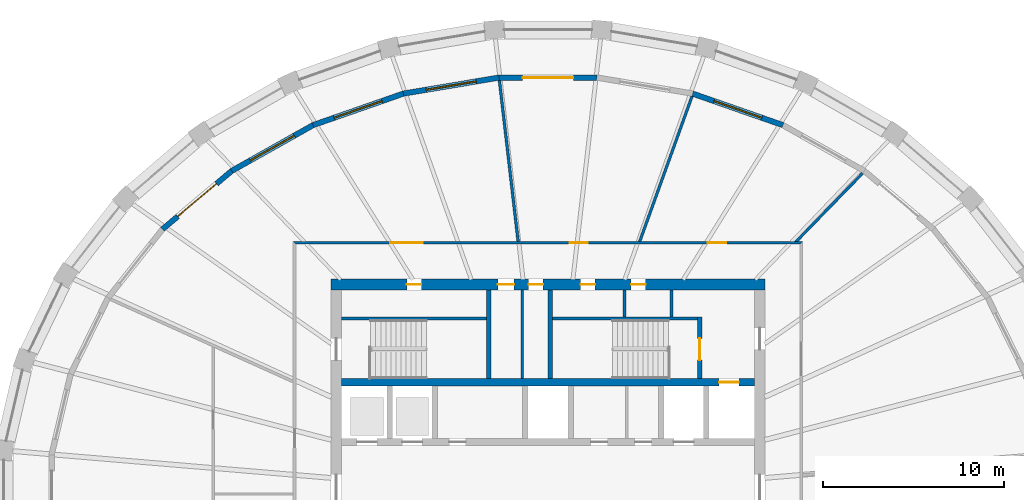
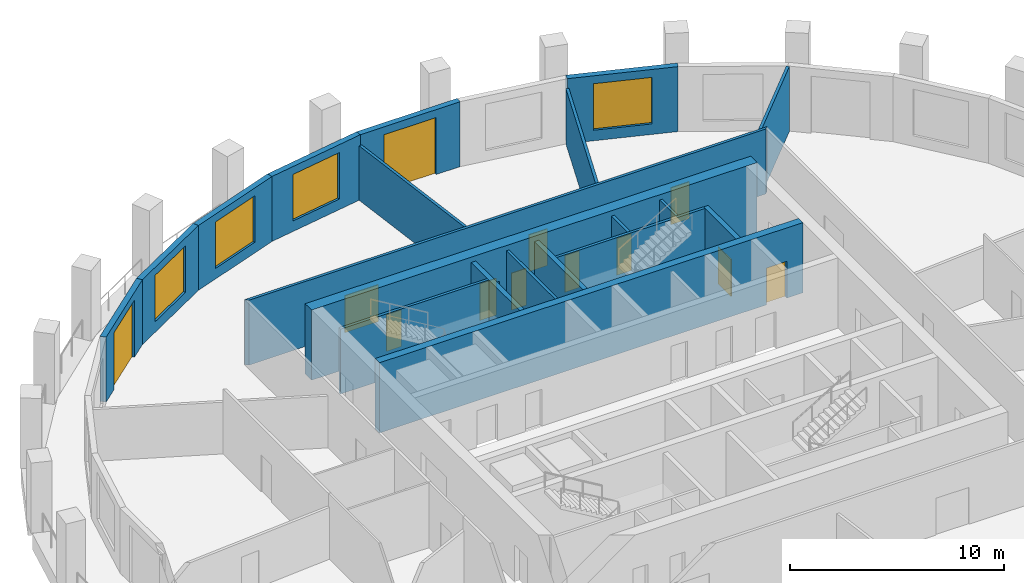
# One storey, part 6 of 10: 20 walls, 12 doors, 4 windows, 16 openings.
"""IFC4 building model written with IfcOpenShell, lengths in metres."""

from ifc_helpers import new_model, si_unit, direction, frame, frame_2d, origin, place, context, subcontext, project, spatial, polyline, rectangle, outline, extrude, material, layer, layer_set, type_object, element, fill, save


model = new_model("IFC4")

# Units and contexts
model_context = context("Model", 3, precision=1e-05, world=origin(), true_north=direction((0.0, 1.0)))
body_context = subcontext(model_context, "Body", "Model", "MODEL_VIEW")
ifc_project = project(units=[si_unit("LENGTHUNIT", "METRE"), si_unit("AREAUNIT", "SQUARE_METRE"), si_unit("VOLUMEUNIT", "CUBIC_METRE"), si_unit("PLANEANGLEUNIT", "RADIAN"), si_unit("MASSUNIT", "GRAM", prefix="KILO")], contexts=[model_context])

# Site, building, storey
site_placement = place(None, origin())
site = spatial("IfcSite", under=ifc_project, at=site_placement, CompositionType="ELEMENT")
building_placement = place(site_placement, origin())
building = spatial("IfcBuilding", under=site, at=building_placement, Name="Halqa Exchange Tower", CompositionType="ELEMENT")
storey_placement = place(building_placement, frame((0.0, 0.0, 256.300048828125)))
storey = spatial("IfcBuildingStorey", under=building, at=storey_placement, Name="L59", CompositionType="ELEMENT", Elevation=256.300048828125)

# Wall, openings, doors
ifc_material_1 = material(Name="Fire-rated gypsum board")
ifc_layer_1 = layer(ifc_material_1, 0.14990234375)
ifc_layer_set_1 = layer_set([ifc_layer_1], Name="Fire-rated gypsum board")
wall_type_1 = type_object("IfcWallType", Name="Fire partition EI 60 150", PredefinedType="PARTITIONING", material=ifc_layer_set_1)
wall_1_placement = place(storey_placement, frame((-14.074951171875, 14.0, 0.0), z_axis=(0.0, 0.0, 1.0), x_axis=(1.0, 0.0, 0.0)))
wall_1 = element("IfcWall", 1, at=wall_1_placement, inside=storey, type_object=wall_type_1, Name="L59-PWL-012", PredefinedType="PARTITIONING", context=body_context, shape_type="SweptSolid", body=[
    extrude(outline(polyline([(0.14990234375, -0.074951171875), (2.13916015625, -0.074951171875), (4.12841796875, -0.074951171875), (6.11767578125, -0.074951171875), (8.107177734375, -0.074951171875), (10.096435546875, -0.074951171875), (12.085693359375, -0.074951171875), (14.074951171875, -0.074951171875), (16.064208984375, -0.074951171875), (18.053466796875, -0.074951171875), (20.042724609375, -0.074951171875), (22.0322265625, -0.074951171875), (24.021484375, -0.074951171875), (26.0107421875, -0.074951171875), (28.0, -0.074951171875), (28.14990234375, 0.074951171875), (26.273193359375, 0.074951171875), (24.396484375, 0.074951171875), (22.52001953125, 0.074951171875), (20.643310546875, 0.074951171875), (18.7666015625, 0.074951171875), (16.889892578125, 0.074951171875), (15.01318359375, 0.074951171875), (13.13671875, 0.074951171875), (11.260009765625, 0.074951171875), (9.38330078125, 0.074951171875), (7.506591796875, 0.074951171875), (5.6298828125, 0.074951171875), (3.75341796875, 0.074951171875), (1.876708984375, 0.074951171875), (0.0, 0.074951171875), (0.14990234375, -0.074951171875)])), origin(), (0.0, 0.0, 1.0), 3.699951171875),
])
opening_1_placement = place(wall_1_placement, frame((22.9150390625, 0.0, 0.0)))
opening_1 = element("IfcOpeningElement", 2, at=opening_1_placement, cuts=wall_1, Name="Opening 18-04", PredefinedType="OPENING", context=body_context, shape_type="SweptSolid", body=[
    extrude(rectangle(XDim=1.0, YDim=2.10009765625, at=frame_2d((0.5, 1.050048828125))), frame((0.0, 0.0869140625, 0.0), z_axis=(0.0, -1.0, 0.0), x_axis=(1.0, 0.0, 0.0)), (0.0, 0.0, 1.0), 0.173828125),
])
opening_2_placement = place(wall_1_placement, frame((15.27490234375, 0.0, 0.0)))
opening_2 = element("IfcOpeningElement", 3, at=opening_2_placement, cuts=wall_1, Name="Opening 18-05", PredefinedType="OPENING", context=body_context, shape_type="SweptSolid", body=[
    extrude(rectangle(XDim=1.0, YDim=2.10009765625, at=frame_2d((0.5, 1.050048828125))), frame((0.0, 0.0869140625, 0.0), z_axis=(0.0, -1.0, 0.0), x_axis=(1.0, 0.0, 0.0)), (0.0, 0.0, 1.0), 0.173828125),
])
opening_3_placement = place(wall_1_placement, frame((5.35498046875, 0.0, 0.0)))
opening_3 = element("IfcOpeningElement", 4, at=opening_3_placement, cuts=wall_1, Name="Opening 18-06", PredefinedType="OPENING", context=body_context, shape_type="SweptSolid", body=[
    extrude(rectangle(XDim=1.800048828125, YDim=2.10009765625, at=frame_2d((0.89990234375, 1.050048828125))), frame((0.0, 0.0869140625, 0.0), z_axis=(0.0, -1.0, 0.0), x_axis=(1.0, 0.0, 0.0)), (0.0, 0.0, 1.0), 0.173828125),
])
ifc_material_2 = material(Name="Steel fire door leaf", Category="steel")
door_type_1 = type_object("IfcDoorType", Name="Fire door FD30S 1000 x 2100", OperationType="SINGLE_SWING_LEFT", PredefinedType="DOOR", material=ifc_material_2)
door_1_placement = place(opening_1_placement, origin())
door_1 = element("IfcDoor", 5, at=door_1_placement, inside=storey, type_object=door_type_1, Name="L59-IDR-004", OperationType="SINGLE_SWING_RIGHT", OverallHeight=2.10009765625, OverallWidth=1.0, PredefinedType="DOOR", context=body_context, shape_type="SweptSolid", body=[
    extrude(rectangle(XDim=1.0, YDim=2.10009765625, at=frame_2d((0.5, 1.050048828125))), frame((0.0, 0.02490234375, 0.0), z_axis=(0.0, -1.0, 0.0), x_axis=(1.0, 0.0, 0.0)), (0.0, 0.0, 1.0), 0.050048828125),
])
fill(opening_1, door_1)
door_2_placement = place(opening_2_placement, origin())
door_2 = element("IfcDoor", 6, at=door_2_placement, inside=storey, type_object=door_type_1, Name="L59-IDR-005", OperationType="SINGLE_SWING_RIGHT", OverallHeight=2.10009765625, OverallWidth=1.0, PredefinedType="DOOR", context=body_context, shape_type="SweptSolid", body=[
    extrude(rectangle(XDim=1.0, YDim=2.10009765625, at=frame_2d((0.5, 1.050048828125))), frame((0.0, 0.02490234375, 0.0), z_axis=(0.0, -1.0, 0.0), x_axis=(1.0, 0.0, 0.0)), (0.0, 0.0, 1.0), 0.050048828125),
])
fill(opening_2, door_2)
door_type_2 = type_object("IfcDoorType", Name="Fire door FD30S double 1800 x 2100", OperationType="DOUBLE_DOOR_SINGLE_SWING", PredefinedType="DOOR", material=ifc_material_2)
door_3_placement = place(opening_3_placement, origin())
door_3 = element("IfcDoor", 7, at=door_3_placement, inside=storey, type_object=door_type_2, Name="L59-IDR-006", OperationType="DOUBLE_DOOR_SINGLE_SWING", OverallHeight=2.10009765625, OverallWidth=1.800048828125, PredefinedType="DOOR", context=body_context, shape_type="SweptSolid", body=[
    extrude(rectangle(XDim=1.800048828125, YDim=2.10009765625, at=frame_2d((0.89990234375, 1.050048828125))), frame((0.0, 0.02490234375, 0.0), z_axis=(0.0, -1.0, 0.0), x_axis=(1.0, 0.0, 0.0)), (0.0, 0.0, 1.0), 0.050048828125),
])
fill(opening_3, door_3)

# Walls
wall_2_placement = place(storey_placement, frame((-1.647705078125, 14.066650390625, 0.0), z_axis=(0.0, 0.0, 1.0), x_axis=(-0.115608238976, 0.993294888279, 0.0)))
element("IfcWall", 8, at=wall_2_placement, inside=storey, type_object=wall_type_1, Name="L59-PWL-013", PredefinedType="PARTITIONING", context=body_context, shape_type="SweptSolid", body=[
    extrude(outline(polyline([(0.0, -0.074951171875), (1.793701171875, -0.074951171875), (3.58740234375, -0.074951171875), (5.381103515625, -0.074951171875), (7.174560546875, -0.074951171875), (8.96826171875, -0.074951171875), (8.972900390625, -0.03564453125), (8.972900390625, 0.074951171875), (7.181640625, 0.074951171875), (5.390625, 0.074951171875), (3.599365234375, 0.074951171875), (1.808349609375, 0.074951171875), (0.01708984375, 0.074951171875), (0.0, -0.072265625), (0.0, -0.074951171875)])), origin(), (0.0, 0.0, 1.0), 3.099853515625),
])
wall_3_placement = place(storey_placement, frame((5.05810546875, 14.0498046875, 0.0), z_axis=(0.0, 0.0, 1.0), x_axis=(0.339015479588, 0.940780795191, 0.0)))
element("IfcWall", 9, at=wall_3_placement, inside=storey, type_object=wall_type_1, Name="L59-PWL-015", PredefinedType="PARTITIONING", context=body_context, shape_type="SweptSolid", body=[
    extrude(outline(polyline([(8.556884765625, -0.074951171875), (8.556884765625, -0.049560546875), (8.556396484375, 0.002197265625), (8.543212890625, 0.074951171875), (6.83447265625, 0.074951171875), (5.1259765625, 0.074951171875), (3.417236328125, 0.074951171875), (1.708740234375, 0.074951171875), (0.0, 0.074951171875), (0.0, 0.07421875), (0.0537109375, -0.074951171875), (1.75439453125, -0.074951171875), (3.455078125, -0.074951171875), (5.15576171875, -0.074951171875), (6.856201171875, -0.074951171875), (8.556884765625, -0.074951171875)])), origin(), (0.0, 0.0, 1.0), 3.14990234375),
])
wall_4_placement = place(storey_placement, frame((13.662353515625, 14.02294921875, 0.0), z_axis=(0.0, 0.0, 1.0), x_axis=(0.697340314613, 0.716740179992, 0.0)))
element("IfcWall", 10, at=wall_4_placement, inside=storey, type_object=wall_type_1, Name="L59-PWL-016", PredefinedType="PARTITIONING", context=body_context, shape_type="SweptSolid", body=[
    extrude(outline(polyline([(0.0, 0.074951171875), (0.0, 0.07470703125), (0.1455078125, -0.074951171875), (1.871337890625, -0.074951171875), (3.597412109375, -0.074951171875), (5.3232421875, -0.074951171875), (5.3232421875, 0.074951171875), (3.548828125, 0.074951171875), (1.7744140625, 0.074951171875), (0.0, 0.074951171875)])), origin(), (0.0, 0.0, 1.0), 3.699951171875),
])
ifc_material_3 = material(Name="Gypsum board")
ifc_layer_2 = layer(ifc_material_3, 0.14990234375)
ifc_layer_set_2 = layer_set([ifc_layer_2], Name="Gypsum board")
wall_type_2 = type_object("IfcWallType", Name="Penthouse riser wall 150 gypsum", PredefinedType="PARTITIONING", material=ifc_layer_set_2)
wall_5_placement = place(storey_placement, frame((-1.425048828125, 6.5, 0.0), z_axis=(0.0, 0.0, 1.0), x_axis=(0.0, 1.0, 0.0)))
element("IfcWall", 11, at=wall_5_placement, inside=storey, type_object=wall_type_2, Name="Partition W1.425 N", PredefinedType="PARTITIONING", context=body_context, shape_type="SweptSolid", body=[
    extrude(rectangle(XDim=4.89990234375, YDim=0.14990234375, at=frame_2d((2.449951171875, 0.0))), origin(), (0.0, 0.0, 1.0), 3.699951171875),
])
for number, where, z_axis, x_axis, name in (
    (12, (4.22509765625, 9.89990234375, 0.0), (0.0, 0.0, 1.0), (0.0, 1.0, 0.0), "Partition E4.225 N"),
    (13, (6.824951171875, 9.89990234375, 0.0), (0.0, 0.0, 1.0), (0.0, 1.0, 0.0), "Firefighting lobby west wall N"),
):
    element("IfcWall", number, at=place(storey_placement, frame(where, z_axis=z_axis, x_axis=x_axis)), inside=storey, type_object=wall_type_2, Name=name, PredefinedType="PARTITIONING", context=body_context, shape_type="SweptSolid", body=[
        extrude(rectangle(XDim=1.5, YDim=0.14990234375, at=frame_2d((0.75, 0.0))), origin(), (0.0, 0.0, 1.0), 3.699951171875),
    ])

# Wall, opening, door
ifc_material_4 = material(Name="Concrete C60/75", Category="concrete")
ifc_layer_3 = layer(ifc_material_4, 0.39990234375)
ifc_layer_set_3 = layer_set([ifc_layer_3], Name="Concrete C60/75")
wall_type_3 = type_object("IfcWallType", Name="RC core wall 400 C60/75", PredefinedType="SHEAR", material=ifc_layer_set_3)
wall_6_placement = place(storey_placement, frame((-11.39990234375, 6.300048828125, 0.0), z_axis=(0.0, 0.0, 1.0), x_axis=(1.0, 0.0, 0.0)))
wall_6 = element("IfcWall", 14, at=wall_6_placement, inside=storey, type_object=wall_type_3, Name="Lift row back wall N", PredefinedType="SHEAR", context=body_context, shape_type="SweptSolid", body=[
    extrude(rectangle(XDim=22.7998046875, YDim=0.39990234375, at=frame_2d((11.39990234375, 0.0))), origin(), (0.0, 0.0, 1.0), 4.0),
])
opening_4_placement = place(wall_6_placement, frame((20.85009765625, 0.0, 0.0)))
opening_4 = element("IfcOpeningElement", 15, at=opening_4_placement, cuts=wall_6, Name="Opening LD-FF1-T18", PredefinedType="OPENING", context=body_context, shape_type="SweptSolid", body=[
    extrude(rectangle(XDim=1.10009765625, YDim=2.10009765625, at=frame_2d((0.550048828125, 1.050048828125))), frame((0.0, 0.2119140625, 0.0), z_axis=(0.0, -1.0, 0.0), x_axis=(1.0, 0.0, 0.0)), (0.0, 0.0, 1.0), 0.423828125),
])
ifc_material_5 = material(Name="Stainless steel", Category="steel")
door_type_3 = type_object("IfcDoorType", Name="Lift landing door 1100 x 2100", OperationType="SLIDING_TO_LEFT", PredefinedType="DOOR", material=ifc_material_5)
door_4_placement = place(opening_4_placement, origin())
door_4 = element("IfcDoor", 16, at=door_4_placement, inside=storey, type_object=door_type_3, Name="Lift landing door FF1", OperationType="SLIDING_TO_LEFT", OverallHeight=2.10009765625, OverallWidth=1.10009765625, PredefinedType="DOOR", context=body_context, shape_type="SweptSolid", body=[
    extrude(rectangle(XDim=1.10009765625, YDim=2.10009765625, at=frame_2d((0.550048828125, 1.050048828125))), frame((0.0, 0.02490234375, 0.0), z_axis=(0.0, -1.0, 0.0), x_axis=(1.0, 0.0, 0.0)), (0.0, 0.0, 1.0), 0.050048828125),
])
fill(opening_4, door_4)

# Wall, openings, doors
ifc_layer_4 = layer(ifc_material_4, 0.60009765625)
ifc_layer_set_4 = layer_set([ifc_layer_4], Name="Concrete C60/75")
wall_type_4 = type_object("IfcWallType", Name="RC core wall 600 C60/75", PredefinedType="SHEAR", material=ifc_layer_set_4)
wall_7_placement = place(storey_placement, frame((-12.0, 11.699951171875, 0.0), z_axis=(0.0, 0.0, 1.0), x_axis=(1.0, 0.0, 0.0)))
wall_7 = element("IfcWall", 17, at=wall_7_placement, inside=storey, type_object=wall_type_4, Name="Core wall north", PredefinedType="SHEAR", context=body_context, shape_type="SweptSolid", body=[
    extrude(rectangle(XDim=24.0, YDim=0.60009765625, at=frame_2d((12.0, 0.0))), origin(), (0.0, 0.0, 1.0), 4.0),
])
opening_5_placement = place(wall_7_placement, frame((9.22509765625, 0.0, 0.0)))
opening_5 = element("IfcOpeningElement", 18, at=opening_5_placement, cuts=wall_7, Name="Opening T18-C17", PredefinedType="OPENING", context=body_context, shape_type="SweptSolid", body=[
    extrude(rectangle(XDim=0.89990234375, YDim=2.10009765625, at=frame_2d((0.449951171875, 1.050048828125))), frame((0.0, 0.31201171875, 0.0), z_axis=(0.0, -1.0, 0.0), x_axis=(1.0, 0.0, 0.0)), (0.0, 0.0, 1.0), 0.6240234375),
])
opening_6_placement = place(wall_7_placement, frame((10.925048828125, 0.0, 0.0)))
opening_6 = element("IfcOpeningElement", 19, at=opening_6_placement, cuts=wall_7, Name="Opening T18-C18", PredefinedType="OPENING", context=body_context, shape_type="SweptSolid", body=[
    extrude(rectangle(XDim=0.800048828125, YDim=2.10009765625, at=frame_2d((0.39990234375, 1.050048828125))), frame((0.0, 0.31201171875, 0.0), z_axis=(0.0, -1.0, 0.0), x_axis=(1.0, 0.0, 0.0)), (0.0, 0.0, 1.0), 0.6240234375),
])
opening_7_placement = place(wall_7_placement, frame((4.199951171875, 0.0, 0.0)))
opening_7 = element("IfcOpeningElement", 20, at=opening_7_placement, cuts=wall_7, Name="Opening T18-C19", PredefinedType="OPENING", context=body_context, shape_type="SweptSolid", body=[
    extrude(rectangle(XDim=0.800048828125, YDim=2.10009765625, at=frame_2d((0.39990234375, 1.050048828125))), frame((0.0, 0.31201171875, 0.0), z_axis=(0.0, -1.0, 0.0), x_axis=(1.0, 0.0, 0.0)), (0.0, 0.0, 1.0), 0.6240234375),
])
opening_8_placement = place(wall_7_placement, frame((13.800048828125, 0.0, 0.0)))
opening_8 = element("IfcOpeningElement", 21, at=opening_8_placement, cuts=wall_7, Name="Opening T18-C20", PredefinedType="OPENING", context=body_context, shape_type="SweptSolid", body=[
    extrude(rectangle(XDim=0.800048828125, YDim=2.10009765625, at=frame_2d((0.39990234375, 1.050048828125))), frame((0.0, 0.31201171875, 0.0), z_axis=(0.0, -1.0, 0.0), x_axis=(1.0, 0.0, 0.0)), (0.0, 0.0, 1.0), 0.6240234375),
])
opening_9_placement = place(wall_7_placement, frame((16.60009765625, 0.0, 0.0)))
opening_9 = element("IfcOpeningElement", 22, at=opening_9_placement, cuts=wall_7, Name="Opening T18-C21", PredefinedType="OPENING", context=body_context, shape_type="SweptSolid", body=[
    extrude(rectangle(XDim=0.800048828125, YDim=2.10009765625, at=frame_2d((0.39990234375, 1.050048828125))), frame((0.0, 0.31201171875, 0.0), z_axis=(0.0, -1.0, 0.0), x_axis=(1.0, 0.0, 0.0)), (0.0, 0.0, 1.0), 0.6240234375),
])
ifc_material_6 = material(Name="Timber fire door leaf", Category="wood")
door_type_4 = type_object("IfcDoorType", Name="Core room door FD30 900 x 2100", OperationType="SINGLE_SWING_LEFT", PredefinedType="DOOR", material=ifc_material_6)
door_5_placement = place(opening_5_placement, frame((0.89990234375, 0.0, 0.0), z_axis=(0.0, 0.0, 1.0), x_axis=(-1.0, 0.0, 0.0)))
door_5 = element("IfcDoor", 23, at=door_5_placement, inside=storey, type_object=door_type_4, Name="Core room door", OperationType="SINGLE_SWING_LEFT", OverallHeight=2.10009765625, OverallWidth=0.89990234375, PredefinedType="DOOR", context=body_context, shape_type="SweptSolid", body=[
    extrude(rectangle(XDim=0.89990234375, YDim=2.10009765625, at=frame_2d((0.449951171875, 1.050048828125))), frame((0.0, 0.02490234375, 0.0), z_axis=(0.0, -1.0, 0.0), x_axis=(1.0, 0.0, 0.0)), (0.0, 0.0, 1.0), 0.050048828125),
])
fill(opening_5, door_5)
door_type_5 = type_object("IfcDoorType", Name="Riser door FD60 800 x 2100", OperationType="SINGLE_SWING_LEFT", PredefinedType="DOOR", material=ifc_material_2)
door_6_placement = place(opening_6_placement, frame((0.800048828125, 0.0, 0.0), z_axis=(0.0, 0.0, 1.0), x_axis=(-1.0, 0.0, 0.0)))
door_6 = element("IfcDoor", 24, at=door_6_placement, inside=storey, type_object=door_type_5, Name="Core room door", OperationType="SINGLE_SWING_RIGHT", OverallHeight=2.10009765625, OverallWidth=0.800048828125, PredefinedType="DOOR", context=body_context, shape_type="SweptSolid", body=[
    extrude(rectangle(XDim=0.800048828125, YDim=2.10009765625, at=frame_2d((0.39990234375, 1.050048828125))), frame((0.0, 0.02490234375, 0.0), z_axis=(0.0, -1.0, 0.0), x_axis=(1.0, 0.0, 0.0)), (0.0, 0.0, 1.0), 0.050048828125),
])
fill(opening_6, door_6)
door_7_placement = place(opening_7_placement, frame((0.800048828125, 0.0, 0.0), z_axis=(0.0, 0.0, 1.0), x_axis=(-1.0, 0.0, 0.0)))
door_7 = element("IfcDoor", 25, at=door_7_placement, inside=storey, type_object=door_type_5, Name="Core room door", OperationType="SINGLE_SWING_RIGHT", OverallHeight=2.10009765625, OverallWidth=0.800048828125, PredefinedType="DOOR", context=body_context, shape_type="SweptSolid", body=[
    extrude(rectangle(XDim=0.800048828125, YDim=2.10009765625, at=frame_2d((0.39990234375, 1.050048828125))), frame((0.0, 0.02490234375, 0.0), z_axis=(0.0, -1.0, 0.0), x_axis=(1.0, 0.0, 0.0)), (0.0, 0.0, 1.0), 0.050048828125),
])
fill(opening_7, door_7)
door_8_placement = place(opening_8_placement, frame((0.800048828125, 0.0, 0.0), z_axis=(0.0, 0.0, 1.0), x_axis=(-1.0, 0.0, 0.0)))
door_8 = element("IfcDoor", 26, at=door_8_placement, inside=storey, type_object=door_type_5, Name="Core room door", OperationType="SINGLE_SWING_LEFT", OverallHeight=2.10009765625, OverallWidth=0.800048828125, PredefinedType="DOOR", context=body_context, shape_type="SweptSolid", body=[
    extrude(rectangle(XDim=0.800048828125, YDim=2.10009765625, at=frame_2d((0.39990234375, 1.050048828125))), frame((0.0, 0.02490234375, 0.0), z_axis=(0.0, -1.0, 0.0), x_axis=(1.0, 0.0, 0.0)), (0.0, 0.0, 1.0), 0.050048828125),
])
fill(opening_8, door_8)
door_9_placement = place(opening_9_placement, frame((0.800048828125, 0.0, 0.0), z_axis=(0.0, 0.0, 1.0), x_axis=(-1.0, 0.0, 0.0)))
door_9 = element("IfcDoor", 27, at=door_9_placement, inside=storey, type_object=door_type_5, Name="Core room door", OperationType="SINGLE_SWING_LEFT", OverallHeight=2.10009765625, OverallWidth=0.800048828125, PredefinedType="DOOR", context=body_context, shape_type="SweptSolid", body=[
    extrude(rectangle(XDim=0.800048828125, YDim=2.10009765625, at=frame_2d((0.39990234375, 1.050048828125))), frame((0.0, 0.02490234375, 0.0), z_axis=(0.0, -1.0, 0.0), x_axis=(1.0, 0.0, 0.0)), (0.0, 0.0, 1.0), 0.050048828125),
])
fill(opening_9, door_9)

# Walls
ifc_material_7 = material(Name="Concrete C30/37", Category="concrete")
ifc_layer_5 = layer(ifc_material_7, 0.14990234375)
ifc_layer_set_5 = layer_set([ifc_layer_5], Name="Concrete C30/37")
wall_type_5 = type_object("IfcWallType", Name="RC stair wall 150 C30/37", PredefinedType="SHEAR", material=ifc_layer_set_5)
for number, where, z_axis, x_axis, name in (
    (28, (-11.39990234375, 9.824951171875, 0.0), (0.0, 0.0, 1.0), (1.0, 0.0, 0.0), "Stair ST1 north wall N"),
    (29, (0.25, 9.824951171875, 0.0), (0.0, 0.0, 1.0), (1.0, 0.0, 0.0), "Stair ST2 north wall N"),
):
    element("IfcWall", number, at=place(storey_placement, frame(where, z_axis=z_axis, x_axis=x_axis)), inside=storey, type_object=wall_type_5, Name=name, PredefinedType="SHEAR", context=body_context, shape_type="SweptSolid", body=[
        extrude(rectangle(XDim=8.0, YDim=0.14990234375, at=frame_2d((4.0, 0.0))), origin(), (0.0, 0.0, 1.0), 3.699951171875),
    ])
ifc_layer_6 = layer(ifc_material_7, 0.25)
ifc_layer_set_6 = layer_set([ifc_layer_6], Name="Concrete C30/37")
wall_type_6 = type_object("IfcWallType", Name="RC stair wall 250 C30/37", PredefinedType="SHEAR", material=ifc_layer_set_6)
for number, where, z_axis, x_axis, name in (
    (30, (-3.27490234375, 6.5, 0.0), (0.0, 0.0, 1.0), (0.0, 1.0, 0.0), "Stair ST1 east wall N"),
    (31, (0.125, 6.5, 0.0), (0.0, 0.0, 1.0), (0.0, 1.0, 0.0), "Stair ST2 west wall N"),
):
    element("IfcWall", number, at=place(storey_placement, frame(where, z_axis=z_axis, x_axis=x_axis)), inside=storey, type_object=wall_type_6, Name=name, PredefinedType="SHEAR", context=body_context, shape_type="SweptSolid", body=[
        extrude(rectangle(XDim=4.89990234375, YDim=0.25, at=frame_2d((2.449951171875, 0.0))), origin(), (0.0, 0.0, 1.0), 3.699951171875),
    ])

# Wall, opening, door
wall_8_placement = place(storey_placement, frame((8.375, 6.5, 0.0), z_axis=(0.0, 0.0, 1.0), x_axis=(0.0, 1.0, 0.0)))
wall_8 = element("IfcWall", 32, at=wall_8_placement, inside=storey, type_object=wall_type_6, Name="Stair ST2 east wall N", PredefinedType="SHEAR", context=body_context, shape_type="SweptSolid", body=[
    extrude(rectangle(XDim=3.39990234375, YDim=0.25, at=frame_2d((1.699951171875, 0.0))), origin(), (0.0, 0.0, 1.0), 3.699951171875),
])
opening_10_placement = place(wall_8_placement, frame((1.02490234375, 0.0, 0.0)))
opening_10 = element("IfcOpeningElement", 33, at=opening_10_placement, cuts=wall_8, Name="Opening T18-C12", PredefinedType="OPENING", context=body_context, shape_type="SweptSolid", body=[
    extrude(rectangle(XDim=1.199951171875, YDim=2.10009765625, at=frame_2d((0.60009765625, 1.050048828125))), frame((0.0, 0.136962890625, 0.0), z_axis=(0.0, -1.0, 0.0), x_axis=(1.0, 0.0, 0.0)), (0.0, 0.0, 1.0), 0.27392578125),
])
door_type_6 = type_object("IfcDoorType", Name="Stair door FD90 1200 x 2100", OperationType="SINGLE_SWING_LEFT", PredefinedType="DOOR", material=ifc_material_2)
door_10_placement = place(opening_10_placement, origin())
door_10 = element("IfcDoor", 34, at=door_10_placement, inside=storey, type_object=door_type_6, Name="Stair door ST2", OperationType="SINGLE_SWING_LEFT", OverallHeight=2.10009765625, OverallWidth=1.199951171875, PredefinedType="DOOR", context=body_context, shape_type="SweptSolid", body=[
    extrude(rectangle(XDim=1.199951171875, YDim=2.10009765625, at=frame_2d((0.60009765625, 1.050048828125))), frame((0.0, 0.02490234375, 0.0), z_axis=(0.0, -1.0, 0.0), x_axis=(1.0, 0.0, 0.0)), (0.0, 0.0, 1.0), 0.050048828125),
])
fill(opening_10, door_10)

# Wall, opening, window
ifc_material_8 = material(Name="Limestone cladding", Category="masonry")
ifc_layer_7 = layer(ifc_material_8, 0.0400390625)
ifc_material_9 = material(Name="Ventilated cavity")
ifc_layer_8 = layer(ifc_material_9, 0.030029296875, ventilated=True)
ifc_material_10 = material(Name="Mineral wool insulation")
ifc_layer_9 = layer(ifc_material_10, 0.10009765625)
ifc_layer_10 = layer(ifc_material_7, 0.10009765625)
ifc_material_11 = material(Name="Internal plaster")
ifc_layer_11 = layer(ifc_material_11, 0.030029296875)
ifc_layer_set_7 = layer_set([ifc_layer_7, ifc_layer_8, ifc_layer_9, ifc_layer_10, ifc_layer_11], Name="Stone-faced insulated wall 300")
wall_type_7 = type_object("IfcWallType", Name="Stone-faced insulated wall 300", PredefinedType="STANDARD", material=ifc_layer_set_7)
wall_9_placement = place(storey_placement, frame((12.983154296875, 20.5048828125, 0.0), z_axis=(0.0, 0.0, 1.0), x_axis=(-0.944149712872, 0.32951679727, 0.0)))
wall_9 = element("IfcWall", 35, at=wall_9_placement, inside=storey, type_object=wall_type_7, Name="Glass-line wall 6", PredefinedType="STANDARD", context=body_context, shape_type="SweptSolid", body=[
    extrude(outline(polyline([(-0.013427734375, -0.14990234375), (5.296875, -0.14990234375), (5.271484375, 0.14990234375), (0.013427734375, 0.14990234375), (-0.013427734375, -0.14990234375)])), origin(), (0.0, 0.0, 1.0), 3.699951171875),
])
opening_11_placement = place(wall_9_placement, frame((1.241943359375, 0.0, 0.60009765625)))
opening_11 = element("IfcOpeningElement", 36, at=opening_11_placement, cuts=wall_9, Name="Opening W-F4-06", PredefinedType="OPENING", context=body_context, shape_type="SweptSolid", body=[
    extrude(rectangle(XDim=2.800048828125, YDim=2.64990234375, at=frame_2d((1.39990234375, 1.324951171875))), frame((0.0, 0.162109375, 0.0), z_axis=(0.0, -1.0, 0.0), x_axis=(1.0, 0.0, 0.0)), (0.0, 0.0, 1.0), 0.323974609375),
])
ifc_material_12 = material(Name="Clear low-emissivity glass in aluminium frame", Category="aluminium")
window_type = type_object("IfcWindowType", Name="Fixed clear glazed window 2800 x 2650", PartitioningType="DOUBLE_PANEL_VERTICAL", PredefinedType="WINDOW", material=ifc_material_12)
window_1_placement = place(opening_11_placement, origin())
window_1 = element("IfcWindow", 37, at=window_1_placement, inside=storey, type_object=window_type, Name="Window 4", OverallHeight=2.64990234375, OverallWidth=2.800048828125, PartitioningType="DOUBLE_PANEL_VERTICAL", PredefinedType="WINDOW", context=body_context, shape_type="SweptSolid", body=[
    extrude(rectangle(XDim=2.800048828125, YDim=2.64990234375, at=frame_2d((1.39990234375, 1.324951171875))), frame((0.0, 0.030029296875, 0.0), z_axis=(0.0, -1.0, 0.0), x_axis=(1.0, 0.0, 0.0)), (0.0, 0.0, 1.0), 0.06005859375),
])
fill(opening_11, window_1)

# Wall, opening, door
wall_10_placement = place(storey_placement, frame((2.69921875, 23.133544921875, 0.0), z_axis=(0.0, 0.0, 1.0), x_axis=(-1.0, 0.0, 0.0)))
wall_10 = element("IfcWall", 38, at=wall_10_placement, inside=storey, type_object=wall_type_7, Name="Glass-line wall 8", PredefinedType="STANDARD", context=body_context, shape_type="SweptSolid", body=[
    extrude(outline(polyline([(-0.012451171875, -0.14990234375), (5.410888671875, -0.14990234375), (5.385986328125, 0.14990234375), (0.012451171875, 0.14990234375), (-0.012451171875, -0.14990234375)])), origin(), (0.0, 0.0, 1.0), 3.699951171875),
])
opening_12_placement = place(wall_10_placement, frame((1.29931640625, 0.0, 0.0)))
opening_12 = element("IfcOpeningElement", 39, at=opening_12_placement, cuts=wall_10, Name="Opening LG-F4-02", PredefinedType="OPENING", context=body_context, shape_type="SweptSolid", body=[
    extrude(rectangle(XDim=2.800048828125, YDim=3.25, at=frame_2d((1.39990234375, 1.625))), frame((0.0, 0.162109375, 0.0), z_axis=(0.0, -1.0, 0.0), x_axis=(1.0, 0.0, 0.0)), (0.0, 0.0, 1.0), 0.323974609375),
])
door_type_7 = type_object("IfcDoorType", Name="Glazed sliding loggia door 2800 x 3250", OperationType="DOUBLE_DOOR_SLIDING", PredefinedType="DOOR", material=ifc_material_12)
door_11_placement = place(opening_12_placement, origin())
door_11 = element("IfcDoor", 40, at=door_11_placement, inside=storey, type_object=door_type_7, Name="Loggia door 2", OperationType="DOUBLE_DOOR_SLIDING", OverallHeight=3.25, OverallWidth=2.800048828125, PredefinedType="DOOR", context=body_context, shape_type="SweptSolid", body=[
    extrude(rectangle(XDim=2.800048828125, YDim=3.25, at=frame_2d((1.39990234375, 1.625))), frame((0.0, 0.02490234375, 0.0), z_axis=(0.0, -1.0, 0.0), x_axis=(1.0, 0.0, 0.0)), (0.0, 0.0, 1.0), 0.050048828125),
])
fill(opening_12, door_11)

# Wall, opening, window
wall_11_placement = place(storey_placement, frame((-2.69921875, 23.133544921875, 0.0), z_axis=(0.0, 0.0, 1.0), x_axis=(-0.986243571741, -0.165298569867, 0.0)))
wall_11 = element("IfcWall", 41, at=wall_11_placement, inside=storey, type_object=wall_type_7, Name="Glass-line wall 9", PredefinedType="STANDARD", context=body_context, shape_type="SweptSolid", body=[
    extrude(outline(polyline([(-0.012451171875, -0.14990234375), (5.381591796875, -0.14990234375), (5.356201171875, 0.14990234375), (0.012451171875, 0.14990234375), (-0.012451171875, -0.14990234375)])), origin(), (0.0, 0.0, 1.0), 3.699951171875),
])
opening_13_placement = place(wall_11_placement, frame((1.284423828125, 0.0, 0.60009765625)))
opening_13 = element("IfcOpeningElement", 42, at=opening_13_placement, cuts=wall_11, Name="Opening W-F4-09", PredefinedType="OPENING", context=body_context, shape_type="SweptSolid", body=[
    extrude(rectangle(XDim=2.800048828125, YDim=2.64990234375, at=frame_2d((1.39990234375, 1.324951171875))), frame((0.0, 0.162109375, 0.0), z_axis=(0.0, -1.0, 0.0), x_axis=(1.0, 0.0, 0.0)), (0.0, 0.0, 1.0), 0.323974609375),
])
window_2_placement = place(opening_13_placement, origin())
window_2 = element("IfcWindow", 43, at=window_2_placement, inside=storey, type_object=window_type, Name="Window 4", OverallHeight=2.64990234375, OverallWidth=2.800048828125, PartitioningType="DOUBLE_PANEL_VERTICAL", PredefinedType="WINDOW", context=body_context, shape_type="SweptSolid", body=[
    extrude(rectangle(XDim=2.800048828125, YDim=2.64990234375, at=frame_2d((1.39990234375, 1.324951171875))), frame((0.0, 0.030029296875, 0.0), z_axis=(0.0, -1.0, 0.0), x_axis=(1.0, 0.0, 0.0)), (0.0, 0.0, 1.0), 0.06005859375),
])
fill(opening_13, window_2)

wall_12_placement = place(storey_placement, frame((-7.994140625, 22.24609375, 0.0), z_axis=(0.0, 0.0, 1.0), x_axis=(-0.944149712872, -0.32951679727, 0.0)))
wall_12 = element("IfcWall", 44, at=wall_12_placement, inside=storey, type_object=wall_type_7, Name="Glass-line wall 10", PredefinedType="STANDARD", context=body_context, shape_type="SweptSolid", body=[
    extrude(outline(polyline([(-0.0126953125, -0.14990234375), (5.297607421875, -0.14990234375), (5.270751953125, 0.14990234375), (0.0126953125, 0.14990234375), (-0.0126953125, -0.14990234375)])), origin(), (0.0, 0.0, 1.0), 3.699951171875),
])
opening_14_placement = place(wall_12_placement, frame((1.241943359375, 0.0, 0.60009765625)))
opening_14 = element("IfcOpeningElement", 45, at=opening_14_placement, cuts=wall_12, Name="Opening W-F4-10", PredefinedType="OPENING", context=body_context, shape_type="SweptSolid", body=[
    extrude(rectangle(XDim=2.800048828125, YDim=2.64990234375, at=frame_2d((1.39990234375, 1.324951171875))), frame((0.0, 0.162109375, 0.0), z_axis=(0.0, -1.0, 0.0), x_axis=(1.0, 0.0, 0.0)), (0.0, 0.0, 1.0), 0.323974609375),
])
window_3_placement = place(opening_14_placement, origin())
window_3 = element("IfcWindow", 46, at=window_3_placement, inside=storey, type_object=window_type, Name="Window 4", OverallHeight=2.64990234375, OverallWidth=2.800048828125, PartitioningType="DOUBLE_PANEL_VERTICAL", PredefinedType="WINDOW", context=body_context, shape_type="SweptSolid", body=[
    extrude(rectangle(XDim=2.800048828125, YDim=2.64990234375, at=frame_2d((1.39990234375, 1.324951171875))), frame((0.0, 0.030029296875, 0.0), z_axis=(0.0, -1.0, 0.0), x_axis=(1.0, 0.0, 0.0)), (0.0, 0.0, 1.0), 0.06005859375),
])
fill(opening_14, window_3)

wall_13_placement = place(storey_placement, frame((-12.983154296875, 20.5048828125, 0.0), z_axis=(0.0, 0.0, 1.0), x_axis=(-0.871411047742, -0.490553550465, 0.0)))
wall_13 = element("IfcWall", 47, at=wall_13_placement, inside=storey, type_object=wall_type_7, Name="Glass-line wall 11", PredefinedType="STANDARD", context=body_context, shape_type="SweptSolid", body=[
    extrude(outline(polyline([(-0.013427734375, -0.14990234375), (5.168701171875, -0.14990234375), (5.140380859375, 0.14990234375), (0.013427734375, 0.14990234375), (-0.013427734375, -0.14990234375)])), origin(), (0.0, 0.0, 1.0), 3.699951171875),
])
opening_15_placement = place(wall_13_placement, frame((1.17724609375, 0.0, 0.60009765625)))
opening_15 = element("IfcOpeningElement", 48, at=opening_15_placement, cuts=wall_13, Name="Opening W-F4-11", PredefinedType="OPENING", context=body_context, shape_type="SweptSolid", body=[
    extrude(rectangle(XDim=2.800048828125, YDim=2.64990234375, at=frame_2d((1.39990234375, 1.324951171875))), frame((0.0, 0.162109375, 0.0), z_axis=(0.0, -1.0, 0.0), x_axis=(1.0, 0.0, 0.0)), (0.0, 0.0, 1.0), 0.323974609375),
])
window_4_placement = place(opening_15_placement, origin())
window_4 = element("IfcWindow", 49, at=window_4_placement, inside=storey, type_object=window_type, Name="Window 4", OverallHeight=2.64990234375, OverallWidth=2.800048828125, PartitioningType="DOUBLE_PANEL_VERTICAL", PredefinedType="WINDOW", context=body_context, shape_type="SweptSolid", body=[
    extrude(rectangle(XDim=2.800048828125, YDim=2.64990234375, at=frame_2d((1.39990234375, 1.324951171875))), frame((0.0, 0.030029296875, 0.0), z_axis=(0.0, -1.0, 0.0), x_axis=(1.0, 0.0, 0.0)), (0.0, 0.0, 1.0), 0.06005859375),
])
fill(opening_15, window_4)

# Wall, opening, door
wall_14_placement = place(storey_placement, frame((-17.474853515625, 17.976318359375, 0.0), z_axis=(0.0, 0.0, 1.0), x_axis=(-0.764746492461, -0.644331283013, 0.0)))
wall_14 = element("IfcWall", 50, at=wall_14_placement, inside=storey, type_object=wall_type_7, Name="Glass-line wall 12", PredefinedType="STANDARD", context=body_context, shape_type="SweptSolid", body=[
    extrude(outline(polyline([(-0.01416015625, -0.14990234375), (5.012939453125, -0.14990234375), (4.982666015625, 0.14990234375), (0.01416015625, 0.14990234375), (-0.01416015625, -0.14990234375)])), origin(), (0.0, 0.0, 1.0), 3.699951171875),
])
opening_16_placement = place(wall_14_placement, frame((1.098876953125, 0.0, 0.0)))
opening_16 = element("IfcOpeningElement", 51, at=opening_16_placement, cuts=wall_14, Name="Opening LG-F4-03", PredefinedType="OPENING", context=body_context, shape_type="SweptSolid", body=[
    extrude(rectangle(XDim=2.800048828125, YDim=3.25, at=frame_2d((1.39990234375, 1.625))), frame((0.0, 0.162109375, 0.0), z_axis=(0.0, -1.0, 0.0), x_axis=(1.0, 0.0, 0.0)), (0.0, 0.0, 1.0), 0.323974609375),
])
door_12_placement = place(opening_16_placement, origin())
door_12 = element("IfcDoor", 52, at=door_12_placement, inside=storey, type_object=door_type_7, Name="Loggia door 3", OperationType="DOUBLE_DOOR_SLIDING", OverallHeight=3.25, OverallWidth=2.800048828125, PredefinedType="DOOR", context=body_context, shape_type="SweptSolid", body=[
    extrude(rectangle(XDim=2.800048828125, YDim=3.25, at=frame_2d((1.39990234375, 1.625))), frame((0.0, 0.02490234375, 0.0), z_axis=(0.0, -1.0, 0.0), x_axis=(1.0, 0.0, 0.0)), (0.0, 0.0, 1.0), 0.050048828125),
])
fill(opening_16, door_12)

save(model, "model.ifc")
